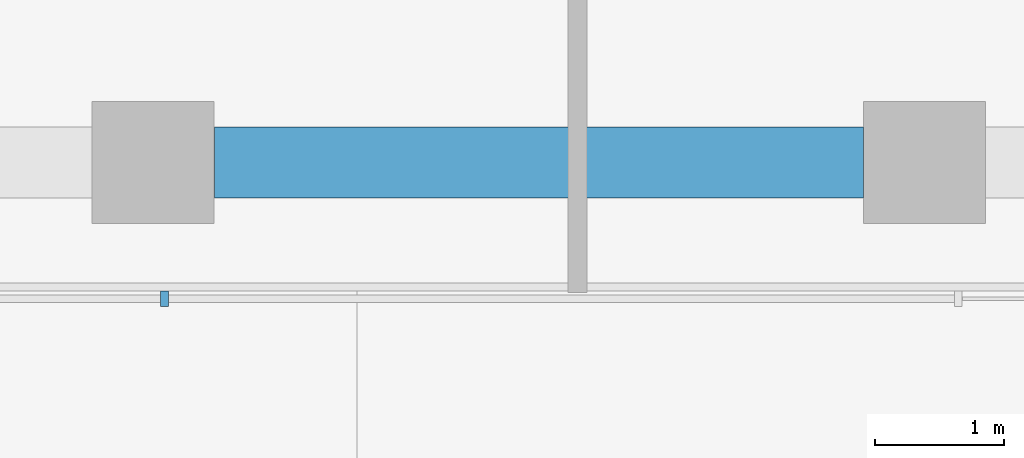
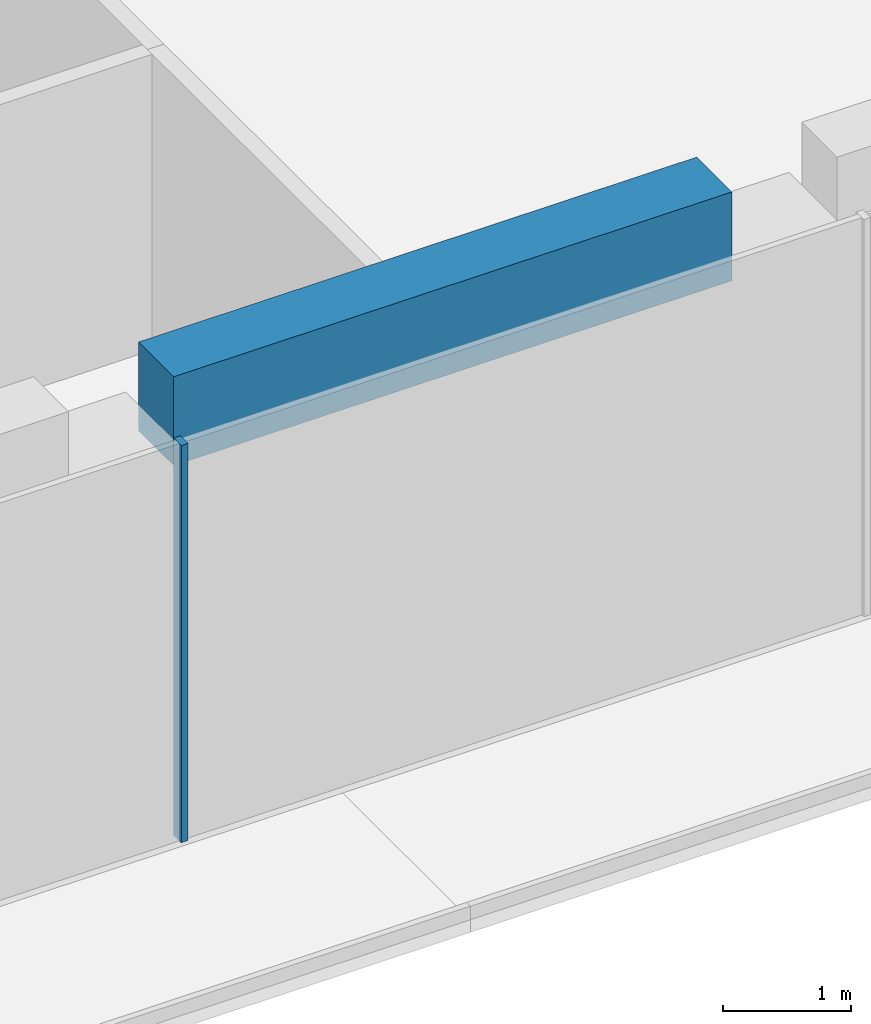
# One storey, part 4 of 22: 1 beam, 1 member, 1 element without a shape of its own.
"""IFC4 building model written with IfcOpenShell, lengths in metres."""

import ifcopenshell
import ifcopenshell.guid

model = None  # the IFC model being written
_history = None  # IfcOwnerHistory: only IFC2X3 demands one
_inside = {}  # id of a spatial element -> (the spatial element, [elements in it])
_under = {}  # id of a project, library or spatial element -> (it, [spatial elements below it])
_declared = {}  # id of a project -> (the project, [libraries it declares])
_typed = {}  # id of a type object -> (the type object, [elements of that type])
_made_of = {}  # id of a material, layer set ... -> (it, [elements and type objects made of it])


def new_model(schema):
    """Start an empty IFC model of exactly this schema.

    Asked for "IFC4X3", IfcOpenShell would pick the latest addendum, in which some entities
    have other attributes; the version numbers below select the first issue.
    IFC2X3 requires an IfcOwnerHistory on every rooted entity: one is made here for all.
    """
    global model, _history
    if schema == "IFC4X3":
        model = ifcopenshell.file(schema_version=(4, 3, 0, 0))
    else:
        model = ifcopenshell.file(schema=schema)
    _inside.clear()
    _under.clear()
    _declared.clear()
    _typed.clear()
    _made_of.clear()
    _history = None
    if model.schema == "IFC2X3":
        org = make("IfcOrganization", Name="unknown")
        user = make(
            "IfcPersonAndOrganization",
            ThePerson=make("IfcPerson", FamilyName="unknown"),
            TheOrganization=org,
        )
        app = make(
            "IfcApplication",
            ApplicationDeveloper=org,
            Version="unknown",
            ApplicationFullName="unknown",
            ApplicationIdentifier="unknown",
        )
        _history = make(
            "IfcOwnerHistory",
            OwningUser=user,
            OwningApplication=app,
            ChangeAction="ADDED",
            CreationDate=0,
        )
    return model


def make(cls, **values):
    """One entity of the class cls with the attributes given. An attribute that is None is left unset."""
    return model.create_entity(
        cls, **{name: value for name, value in values.items() if value is not None}
    )


def rooted(cls, **values):
    """An entity with a GlobalId (a new one), such as an element, a storey or a relation."""
    return make(cls, GlobalId=ifcopenshell.guid.new(), OwnerHistory=_history, **values)


def si_unit(unit_type, name, prefix=None):
    """IfcSIUnit, for example si_unit("LENGTHUNIT", "METRE", prefix="MILLI")."""
    return make("IfcSIUnit", UnitType=unit_type, Prefix=prefix, Name=name)


def assignment(units):
    """IfcUnitAssignment: the units of a project."""
    return None if units is None else make("IfcUnitAssignment", Units=units)


def point(xyz):
    """IfcCartesianPoint."""
    return None if xyz is None else make("IfcCartesianPoint", Coordinates=xyz)


def direction(xyz):
    """IfcDirection."""
    return None if xyz is None else make("IfcDirection", DirectionRatios=xyz)


def frame(location, z_axis=None, x_axis=None):
    """IfcAxis2Placement3D, a coordinate frame: its origin and axes. An axis left out is left unset."""
    return make(
        "IfcAxis2Placement3D",
        Location=point(location),
        Axis=direction(z_axis),
        RefDirection=direction(x_axis),
    )


def frame_2d(location, x_axis=None):
    """IfcAxis2Placement2D, a coordinate frame in the plane: its origin and x axis."""
    return make(
        "IfcAxis2Placement2D", Location=point(location), RefDirection=direction(x_axis)
    )


def origin():
    """The frame at (0, 0, 0) with its axes left unset."""
    return frame((0.0, 0.0, 0.0))


def origin_2d():
    """The frame at (0, 0) in the plane with its x axis left unset."""
    return frame_2d((0.0, 0.0))


def place(relative_to, where):
    """IfcLocalPlacement: puts the frame where relative to a parent placement (None: the world)."""
    return make(
        "IfcLocalPlacement", PlacementRelTo=relative_to, RelativePlacement=where
    )


def context(
    kind, dimensions, precision=None, world=None, true_north=None, identifier=None
):
    """IfcGeometricRepresentationContext, for example the 3D "Model" context."""
    return make(
        "IfcGeometricRepresentationContext",
        ContextIdentifier=identifier,
        ContextType=kind,
        CoordinateSpaceDimension=dimensions,
        Precision=precision,
        WorldCoordinateSystem=world,
        TrueNorth=true_north,
    )


def subcontext(parent, identifier, kind, view, scale=None):
    """IfcGeometricRepresentationSubContext, for example "Body" below "Model"."""
    return make(
        "IfcGeometricRepresentationSubContext",
        ContextIdentifier=identifier,
        ContextType=kind,
        ParentContext=parent,
        TargetScale=scale,
        TargetView=view,
    )


def project(units=None, contexts=None):
    """IfcProject with its units and contexts."""
    return rooted(
        "IfcProject",
        Name="project",
        RepresentationContexts=contexts,
        UnitsInContext=assignment(units),
    )


def spatial(cls, under=None, at=None, **own):
    """A site, building, storey or space (cls), placed at a placement, below another one or the project."""
    s = rooted(cls, ObjectPlacement=at, **own)
    if under is not None:
        _under.setdefault(under.id(), (under, []))[1].append(s)
    return s


def profile(cls, at=None, kind="AREA", **sizes):
    """A parametric profile (cls). Its sizes go by their IFC names, for example OverallWidth=200.0."""
    return make(cls, ProfileType=kind, Position=at, **sizes)


def rectangle(**sizes):
    """IfcRectangleProfileDef."""
    return profile("IfcRectangleProfileDef", **sizes)


def extrude(swept, where, along, depth):
    """IfcExtrudedAreaSolid: the profile swept, set in the frame where, extruded along a direction by depth."""
    return make(
        "IfcExtrudedAreaSolid",
        SweptArea=swept,
        Position=where,
        ExtrudedDirection=direction(along),
        Depth=depth,
    )


def shape(context_of_items, identifier, shape_type, items):
    """IfcShapeRepresentation: the items that make up one representation, for example the "Body"."""
    return make(
        "IfcShapeRepresentation",
        ContextOfItems=context_of_items,
        RepresentationIdentifier=identifier,
        RepresentationType=shape_type,
        Items=items,
    )


def material(Name=None, Category=None):
    """IfcMaterial."""
    return make("IfcMaterial", Name=Name, Category=Category)


def layer(
    of_material, thickness, ventilated=None, Name=None, Category=None, Priority=None
):
    """IfcMaterialLayer: one layer of a wall or slab, of a material (None: an air gap)."""
    return make(
        "IfcMaterialLayer",
        Material=of_material,
        LayerThickness=thickness,
        IsVentilated=ventilated,
        Name=Name,
        Category=Category,
        Priority=Priority,
    )


def layer_set(layers, Name=None):
    """IfcMaterialLayerSet."""
    return make("IfcMaterialLayerSet", MaterialLayers=layers, LayerSetName=Name)


def material_profile(
    of_material, cross_section, Name=None, Category=None, Priority=None
):
    """IfcMaterialProfile: a cross section and its material."""
    return make(
        "IfcMaterialProfile",
        Name=Name,
        Material=of_material,
        Profile=cross_section,
        Priority=Priority,
        Category=Category,
    )


def profile_set(profiles, Name=None, composite=None):
    """IfcMaterialProfileSet."""
    return make(
        "IfcMaterialProfileSet",
        Name=Name,
        MaterialProfiles=profiles,
        CompositeProfile=composite,
    )


def made_of(thing, what):
    """Note that an element or type object is made of a material, layer set ...; save() writes the relation."""
    if what is not None:
        _made_of.setdefault(what.id(), (what, []))[1].append(thing)
    return thing


def type_object(cls, material=None, **own):
    """A type object (cls), such as IfcWallType, which elements share."""
    return made_of(rooted(cls, **own), material)


def element(
    cls,
    number,
    at=None,
    inside=None,
    cuts=None,
    type_object=None,
    material=None,
    context=None,
    identifier="Body",
    shape_type=None,
    held_by="IfcProductDefinitionShape",
    body=None,
    shapes=None,
    **own,
):
    """One element of the class cls, such as IfcWall. Its Tag is "e" and its number.

    at: its placement. inside: the storey or other place that contains it. cuts: it is an
    opening in that element (IfcRelVoidsElement). A single representation is given by context,
    identifier, shape_type and body (its items); several are given by shapes. held_by: the class
    of the entity that holds the representations. save() writes the other relations.
    """
    e = rooted(cls, Tag="e%d" % number, ObjectPlacement=at, **own)
    if body is not None:
        shapes = [shape(context, identifier, shape_type, body)]
    if shapes is not None:
        e.Representation = make(held_by, Representations=shapes)
    if inside is not None:
        _inside.setdefault(inside.id(), (inside, []))[1].append(e)
    if cuts is not None:
        rooted(
            "IfcRelVoidsElement", RelatingBuildingElement=cuts, RelatedOpeningElement=e
        )
    if type_object is not None:
        _typed.setdefault(type_object.id(), (type_object, []))[1].append(e)
    return made_of(e, material)


def aggregate(whole, parts):
    """IfcRelAggregates: a whole, such as a stair, and the parts it consists of."""
    return rooted("IfcRelAggregates", RelatingObject=whole, RelatedObjects=parts)


def save(model, path):
    """Write the relations noted so far, then the file.

    IfcRelAggregates (storeys below a building ...), IfcRelContainedInSpatialStructure (elements
    in a storey), IfcRelDefinesByType, IfcRelAssociatesMaterial and IfcRelDeclares: one each for
    every whole, place, type object, material and project.
    """
    for whole, parts in _under.values():
        aggregate(whole, parts)
    for where, things in _inside.values():
        rooted(
            "IfcRelContainedInSpatialStructure",
            RelatedElements=things,
            RelatingStructure=where,
        )
    for kind, things in _typed.values():
        rooted("IfcRelDefinesByType", RelatedObjects=things, RelatingType=kind)
    for what, things in _made_of.values():
        rooted("IfcRelAssociatesMaterial", RelatedObjects=things, RelatingMaterial=what)
    for by, libraries in _declared.values():
        rooted("IfcRelDeclares", RelatingContext=by, RelatedDefinitions=libraries)
    model.write(path)


model = new_model("IFC4")

# Units and contexts
model_context = context("Model", 3, precision=1e-05, world=origin(), true_north=direction((0.0, 1.0)))
body_context = subcontext(model_context, "Body", "Model", "MODEL_VIEW")
ifc_project = project(units=[si_unit("LENGTHUNIT", "METRE"), si_unit("AREAUNIT", "SQUARE_METRE"), si_unit("VOLUMEUNIT", "CUBIC_METRE"), si_unit("PLANEANGLEUNIT", "RADIAN"), si_unit("MASSUNIT", "GRAM", prefix="KILO")], contexts=[model_context])

# Site, building, storey
site_placement = place(None, origin())
site = spatial("IfcSite", under=ifc_project, at=site_placement, CompositionType="ELEMENT")
building_placement = place(site_placement, origin())
building = spatial("IfcBuilding", under=site, at=building_placement, Name="Welwitschia Terrace Campus", CompositionType="ELEMENT")
storey_placement = place(building_placement, frame((0.0, 0.0, 192.800048828125)))
storey = spatial("IfcBuildingStorey", under=building, at=storey_placement, Name="L43", CompositionType="ELEMENT", Elevation=192.800048828125)

# Curtain wall, member
ifc_material_1 = material(Name="Bronze anodised aluminium", Category="aluminium")
ifc_layer = layer(ifc_material_1, 0.1201171875)
ifc_layer_set = layer_set([ifc_layer], Name="Bronze anodised aluminium")
curtain_wall_type = type_object("IfcCurtainWallType", Name="Curtain wall CW2 tower 6000", PredefinedType="NOTDEFINED", material=ifc_layer_set)
curtain_wall_placement = place(storey_placement, origin())
curtain_wall = element("IfcCurtainWall", 1, at=curtain_wall_placement, inside=storey, type_object=curtain_wall_type, Name="CW L43.3.0", PredefinedType="NOTDEFINED")
ifc_material_2 = material(Name="Bronze anodised aluminium", Category="aluminium")
ifc_material_profile_1 = material_profile(ifc_material_2, rectangle(XDim=0.1201171875, YDim=0.06005859375, at=origin_2d()))
ifc_profile_set_1 = profile_set([ifc_material_profile_1], Name="Bronze anodised aluminium")
member_type = type_object("IfcMemberType", Name="Mullion 60x120", PredefinedType="MULLION", material=ifc_profile_set_1)
member_placement = place(storey_placement, frame((24.087646484375, -5.05810546875, 0.0), z_axis=(0.0, 0.0, 1.0), x_axis=(0.0, 1.0, 0.0)))
member = element("IfcMember", 2, at=member_placement, type_object=member_type, Name="Mullion L43.3.0.3", PredefinedType="MULLION", context=body_context, shape_type="SweptSolid", body=[
    extrude(rectangle(XDim=0.1201171875, YDim=0.06005859375, at=origin_2d()), origin(), (0.0, 0.0, 1.0), 3.800048828125),
])
aggregate(curtain_wall, [member])

# Beam
ifc_material_3 = material(Name="Concrete C50/60", Category="concrete")
ifc_material_profile_2 = material_profile(ifc_material_3, rectangle(XDim=0.550048828125, YDim=0.85009765625, at=origin_2d()))
ifc_profile_set_2 = profile_set([ifc_material_profile_2], Name="Concrete C50/60")
beam_type = type_object("IfcBeamType", Name="Ring spandrel 550x850", PredefinedType="SPANDREL", material=ifc_profile_set_2)
beam_placement = place(storey_placement, frame((24.4755859375, -4.0, 3.375), z_axis=(1.0, 0.0, 0.0), x_axis=(0.0, 1.0, 0.0)))
element("IfcBeam", 3, at=beam_placement, inside=storey, type_object=beam_type, Name="Spandrel SP3", PredefinedType="SPANDREL", context=body_context, shape_type="SweptSolid", body=[
    extrude(rectangle(XDim=0.550048828125, YDim=0.85009765625, at=origin_2d()), origin(), (0.0, 0.0, 1.0), 5.048828125),
])

save(model, "model.ifc")
